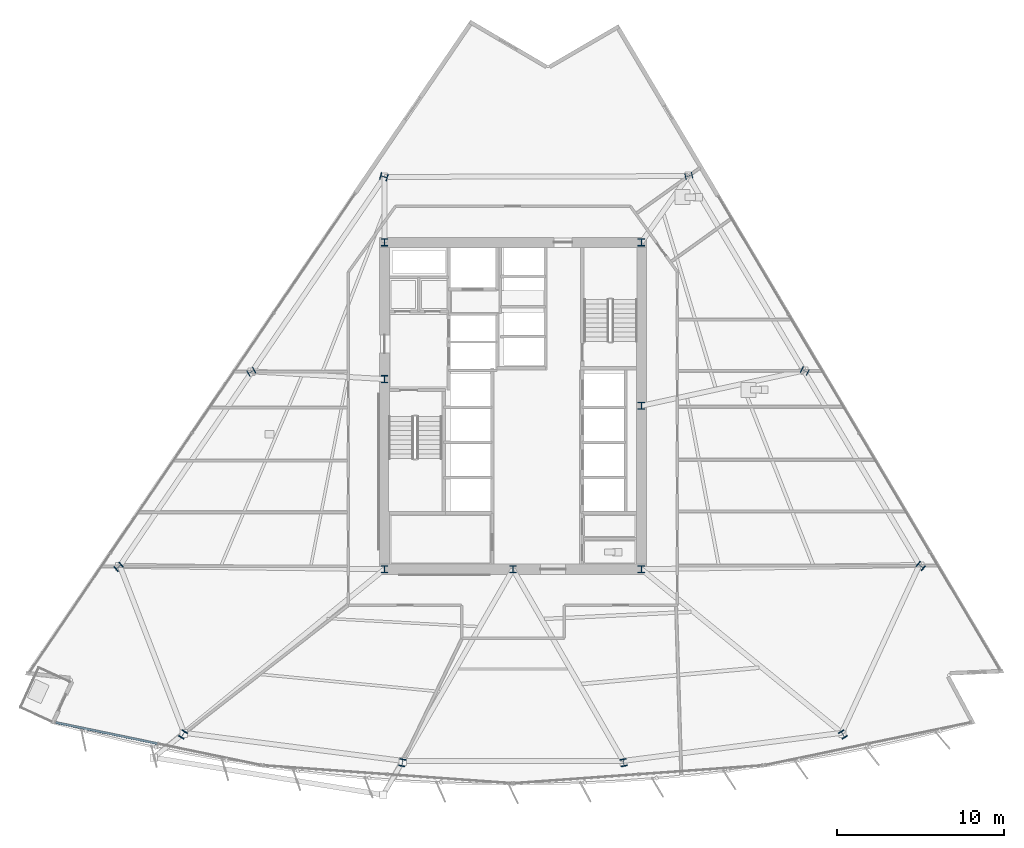
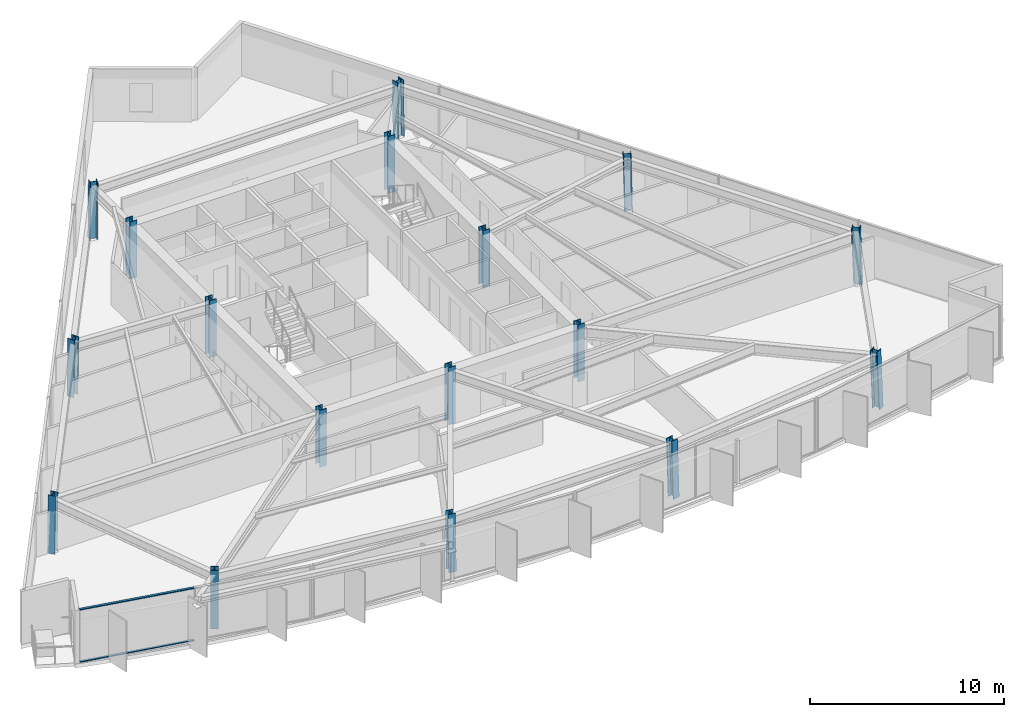
# One storey, part 1 of 17: 17 columns, 2 members, 1 element without a shape of its own.
"""IFC4 building model written with IfcOpenShell, lengths in metres."""

from ifc_helpers import new_model, si_unit, direction, frame, origin, origin_2d, place, context, subcontext, project, spatial, rectangle, i_section, extrude, material, material_profile, profile_set, type_object, element, aggregate, save


model = new_model("IFC4")

# Units and contexts
model_context = context("Model", 3, precision=1e-05, world=origin(), true_north=direction((0.0, 1.0)))
body_context = subcontext(model_context, "Body", "Model", "MODEL_VIEW")
ifc_project = project(units=[si_unit("LENGTHUNIT", "METRE"), si_unit("AREAUNIT", "SQUARE_METRE"), si_unit("VOLUMEUNIT", "CUBIC_METRE"), si_unit("PLANEANGLEUNIT", "RADIAN"), si_unit("MASSUNIT", "GRAM", prefix="KILO")], contexts=[model_context])

# Site, building, storey
site_placement = place(None, origin())
site = spatial("IfcSite", under=ifc_project, at=site_placement, CompositionType="ELEMENT")
building_placement = place(site_placement, origin())
building = spatial("IfcBuilding", under=site, at=building_placement, Name="Savorim Split Tower", CompositionType="ELEMENT")
storey_placement = place(building_placement, frame((0.0, 0.0, 55.199951171875)))
storey = spatial("IfcBuildingStorey", under=building, at=storey_placement, Name="L14", CompositionType="ELEMENT", Elevation=55.199951171875)

# Columns
ifc_material_1 = material(Name="Steel S460", Category="steel")
ifc_material_profile_1 = material_profile(ifc_material_1, i_section(OverallWidth=0.412109375, OverallDepth=0.43505859375, WebThickness=0.022705078125, FlangeThickness=0.037109375, FilletRadius=0.014892578125, at=origin_2d()), Name="HD 400x463")
ifc_profile_set_1 = profile_set([ifc_material_profile_1], Name="Steel S460")
column_type_1 = type_object("IfcColumnType", Name="COL-HD-463", PredefinedType="COLUMN", material=ifc_profile_set_1)
column_1_placement = place(storey_placement, frame((-19.789794921875, -19.325927734375, 0.005615234375), z_axis=(0.020596292833, 0.033511459955, 0.999226087917), x_axis=(-0.851954850327, 0.523615252838, 0.0)))
element("IfcColumn", 1, at=column_1_placement, inside=storey, type_object=column_type_1, Name="L14 Tapered Perimeter Column PC-S1", PredefinedType="COLUMN", context=body_context, shape_type="SweptSolid", body=[
    extrude(i_section(OverallWidth=0.412109375, OverallDepth=0.43505859375, WebThickness=0.022705078125, FlangeThickness=0.037109375, FilletRadius=0.014892578125, at=origin_2d()), origin(), (0.0, 0.0, 1.0), 3.591552734375),
])
for number, where, z_axis, x_axis, name in (
    (2, (-6.632568359375, -21.01513671875, 0.005615234375), (0.006866308162, 0.0352833063, 0.999353762243), (-0.981585848295, 0.191021523464, 0.0), "L14 Tapered Perimeter Column PC-S2"),
    (3, (6.632568359375, -21.01513671875, 0.005615234375), (-0.006866308162, 0.0352833063, 0.999353762243), (-0.981585848295, -0.191021523464, 0.0), "L14 Tapered Perimeter Column PC-S3"),
):
    element("IfcColumn", number, at=place(storey_placement, frame(where, z_axis=z_axis, x_axis=x_axis)), inside=storey, type_object=column_type_1, Name=name, PredefinedType="COLUMN", context=body_context, shape_type="SweptSolid", body=[
        extrude(i_section(OverallWidth=0.412109375, OverallDepth=0.43505859375, WebThickness=0.022705078125, FlangeThickness=0.037109375, FilletRadius=0.014892578125, at=origin_2d()), origin(), (0.0, 0.0, 1.0), 3.59130859375),
    ])
column_2_placement = place(storey_placement, frame((19.789794921875, -19.325927734375, 0.005615234375), z_axis=(-0.020596292833, 0.033511459955, 0.999226087917), x_axis=(-0.851954850327, -0.523615252838, 0.0)))
element("IfcColumn", 4, at=column_2_placement, inside=storey, type_object=column_type_1, Name="L14 Tapered Perimeter Column PC-S4", PredefinedType="COLUMN", context=body_context, shape_type="SweptSolid", body=[
    extrude(i_section(OverallWidth=0.412109375, OverallDepth=0.43505859375, WebThickness=0.022705078125, FlangeThickness=0.037109375, FilletRadius=0.014892578125, at=origin_2d()), origin(), (0.0, 0.0, 1.0), 3.591552734375),
])
column_3_placement = place(storey_placement, frame((24.461181640625, -9.222412109375, 0.005615234375), z_axis=(-0.026107436898, 0.021620221181, 0.999425318758), x_axis=(-0.637813971185, -0.770190455771, 0.0)))
element("IfcColumn", 5, at=column_3_placement, inside=storey, type_object=column_type_1, Name="L14 Tapered Perimeter Column PC-E1", PredefinedType="COLUMN", context=body_context, shape_type="SweptSolid", body=[
    extrude(i_section(OverallWidth=0.412109375, OverallDepth=0.43505859375, WebThickness=0.022705078125, FlangeThickness=0.037109375, FilletRadius=0.014892578125, at=origin_2d()), origin(), (0.0, 0.0, 1.0), 3.5908203125),
])
column_4_placement = place(storey_placement, frame((17.504150390625, 2.477294921875, 0.005615234375), z_axis=(-0.018907314261, 0.009589680974, 0.999775250487), x_axis=(-0.452339157861, -0.891845999187, 0.0)))
element("IfcColumn", 6, at=column_4_placement, inside=storey, type_object=column_type_1, Name="L14 Tapered Perimeter Column PC-E2", PredefinedType="COLUMN", context=body_context, shape_type="SweptSolid", body=[
    extrude(i_section(OverallWidth=0.412109375, OverallDepth=0.43505859375, WebThickness=0.022705078125, FlangeThickness=0.037109375, FilletRadius=0.014892578125, at=origin_2d()), origin(), (0.0, 0.0, 1.0), 3.589599609375),
])
for number, where, z_axis, x_axis, name in (
    (7, (10.54736328125, 14.17724609375, 0.005615234375), (-0.011767853257, -0.00258484638, 0.999927415465), (0.214538664031, -0.976715496773, 0.0), "L14 Tapered Perimeter Column PC-E3"),
    (8, (-7.73876953125, 14.12841796875, 0.005615234375), (0.008775143007, -0.002584925847, 0.999958156636), (0.282568886397, 0.959247009086, 0.0), "L14 Tapered Perimeter Column PC-W1"),
):
    element("IfcColumn", number, at=place(storey_placement, frame(where, z_axis=z_axis, x_axis=x_axis)), inside=storey, type_object=column_type_1, Name=name, PredefinedType="COLUMN", context=body_context, shape_type="SweptSolid", body=[
        extrude(i_section(OverallWidth=0.412109375, OverallDepth=0.43505859375, WebThickness=0.022705078125, FlangeThickness=0.037109375, FilletRadius=0.014892578125, at=origin_2d()), origin(), (0.0, 0.0, 1.0), 3.589111328125),
    ])
column_5_placement = place(storey_placement, frame((-15.697998046875, 2.4287109375, 0.005615234375), z_axis=(0.017003572908, 0.009522000828, 0.999810086971), x_axis=(-0.488603368932, 0.87250601595, 0.0)))
element("IfcColumn", 9, at=column_5_placement, inside=storey, type_object=column_type_1, Name="L14 Tapered Perimeter Column PC-W2", PredefinedType="COLUMN", context=body_context, shape_type="SweptSolid", body=[
    extrude(i_section(OverallWidth=0.412109375, OverallDepth=0.43505859375, WebThickness=0.022705078125, FlangeThickness=0.037109375, FilletRadius=0.014892578125, at=origin_2d()), origin(), (0.0, 0.0, 1.0), 3.589599609375),
])
column_6_placement = place(storey_placement, frame((-23.656982421875, -9.271240234375, 0.005615234375), z_axis=(0.025224163578, 0.021620711639, 0.999447990843), x_axis=(-0.650791373456, 0.759256602365, 0.0)))
element("IfcColumn", 10, at=column_6_placement, inside=storey, type_object=column_type_1, Name="L14 Tapered Perimeter Column PC-W3", PredefinedType="COLUMN", context=body_context, shape_type="SweptSolid", body=[
    extrude(i_section(OverallWidth=0.412109375, OverallDepth=0.43505859375, WebThickness=0.022705078125, FlangeThickness=0.037109375, FilletRadius=0.014892578125, at=origin_2d()), origin(), (0.0, 0.0, 1.0), 3.5908203125),
])
ifc_material_profile_2 = material_profile(ifc_material_1, i_section(OverallWidth=0.416015625, OverallDepth=0.446044921875, WebThickness=0.02490234375, FlangeThickness=0.0400390625, FilletRadius=0.014892578125, at=origin_2d()), Name="HD 400x509")
ifc_profile_set_2 = profile_set([ifc_material_profile_2], Name="Steel S460")
column_type_2 = type_object("IfcColumnType", Name="COL-HD-509", PredefinedType="COLUMN", material=ifc_profile_set_2)
for number, where, z_axis, x_axis, name in (
    (11, (-7.699951171875, -9.39990234375, 0.0), (0.0, 0.0, 1.0), (1.0, 0.0, 0.0), "L14 Core Structural Column TC-C1"),
    (12, (7.699951171875, -9.39990234375, 0.0), (0.0, 0.0, 1.0), (1.0, 0.0, 0.0), "L14 Core Structural Column TC-C2"),
    (13, (7.699951171875, 10.199951171875, 0.0), (0.0, 0.0, 1.0), (1.0, 0.0, 0.0), "L14 Core Structural Column TC-C3"),
    (14, (-7.699951171875, 10.199951171875, 0.0), (0.0, 0.0, 1.0), (1.0, 0.0, 0.0), "L14 Core Structural Column TC-C4"),
    (15, (0.0, -9.39990234375, 0.0), (0.0, 0.0, 1.0), (1.0, 0.0, 0.0), "L14 Core Structural Column TC-C5"),
    (16, (7.699951171875, 0.39990234375, 0.0), (0.0, 0.0, 1.0), (1.0, 0.0, 0.0), "L14 Core Structural Column TC-C6"),
    (17, (-7.699951171875, 2.0, 0.0), (0.0, 0.0, 1.0), (1.0, 0.0, 0.0), "L14 Core Structural Column TC-C7"),
):
    element("IfcColumn", number, at=place(storey_placement, frame(where, z_axis=z_axis, x_axis=x_axis)), inside=storey, type_object=column_type_2, Name=name, PredefinedType="COLUMN", context=body_context, shape_type="SweptSolid", body=[
        extrude(i_section(OverallWidth=0.416015625, OverallDepth=0.446044921875, WebThickness=0.02490234375, FlangeThickness=0.0400390625, FilletRadius=0.014892578125, at=origin_2d()), origin(), (0.0, 0.0, 1.0), 3.60009765625),
    ])

# Curtain wall, members
ifc_material_2 = material(Name="Dark Ceramic-Fritted Insulated Glass", Category="glass")
curtain_wall_type = type_object("IfcCurtainWallType", Name="CW-TWR-FRIT-A", PredefinedType="NOTDEFINED", material=ifc_material_2)
curtain_wall_placement = place(storey_placement, origin())
curtain_wall = element("IfcCurtainWall", 18, at=curtain_wall_placement, inside=storey, type_object=curtain_wall_type, Name="L14 Curtain Wall CW-L14-SF1", PredefinedType="NOTDEFINED")
ifc_material_3 = material(Name="Charcoal Anodised Aluminium", Category="aluminium")
ifc_material_profile_3 = material_profile(ifc_material_3, rectangle(XDim=0.139892578125, YDim=0.054931640625, at=origin_2d()), Name="ALU-T 140x55")
ifc_profile_set_3 = profile_set([ifc_material_profile_3], Name="Charcoal Anodised Aluminium")
member_type = type_object("IfcMemberType", Name="CWT-140x55", PredefinedType="USERDEFINED", material=ifc_profile_set_3)
member_1_placement = place(storey_placement, frame((-27.4150390625, -18.58203125, 0.027587890625), z_axis=(0.979138544299, -0.20319377714, 0.0), x_axis=(0.20319377714, 0.979138544299, 0.0)))
member_1 = element("IfcMember", 19, at=member_1_placement, type_object=member_type, Name="CW-02 transom 1.1", ObjectType="TRANSOM", PredefinedType="USERDEFINED", context=body_context, shape_type="SweptSolid", body=[
    extrude(rectangle(XDim=0.139892578125, YDim=0.054931640625, at=origin_2d()), origin(), (0.0, 0.0, 1.0), 6.23095703125),
])
member_2_placement = place(storey_placement, frame((-27.4150390625, -18.58203125, 3.322509765625), z_axis=(0.979138544299, -0.20319377714, 0.0), x_axis=(0.20319377714, 0.979138544299, 0.0)))
member_2 = element("IfcMember", 20, at=member_2_placement, type_object=member_type, Name="CW-02 transom 1.2", ObjectType="TRANSOM", PredefinedType="USERDEFINED", context=body_context, shape_type="SweptSolid", body=[
    extrude(rectangle(XDim=0.139892578125, YDim=0.054931640625, at=origin_2d()), origin(), (0.0, 0.0, 1.0), 6.23095703125),
])
aggregate(curtain_wall, [member_1, member_2])

save(model, "model.ifc")
